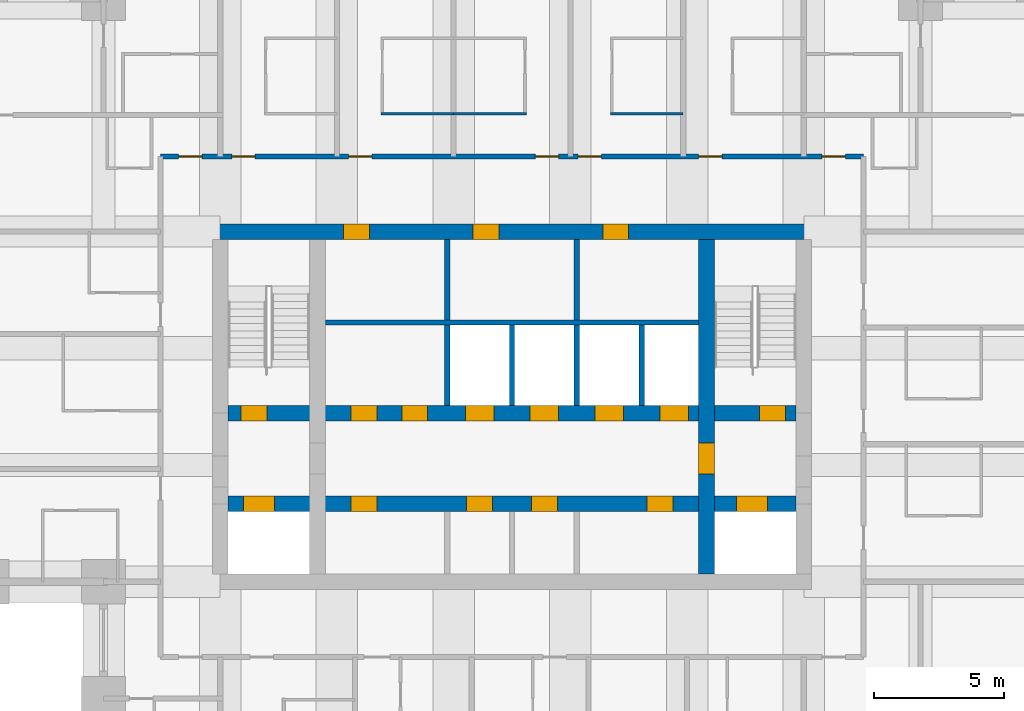
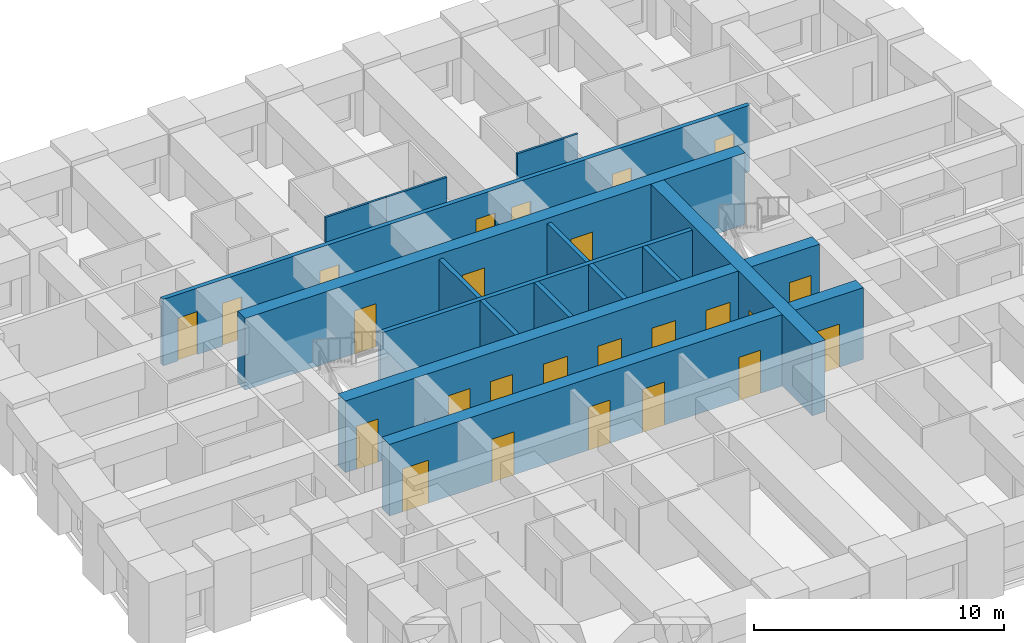
# One storey, part 4 of 8: 25 doors, 15 walls, 25 openings.
"""IFC4 building model written with IfcOpenShell, lengths in metres."""

from ifc_helpers import new_model, si_unit, direction, frame, frame_2d, origin, place, context, subcontext, project, spatial, rectangle, extrude, material, layer, layer_set, type_object, element, fill, save


model = new_model("IFC4")

# Units and contexts
model_context = context("Model", 3, precision=1e-05, world=origin(), true_north=direction((0.0, 1.0)))
body_context = subcontext(model_context, "Body", "Model", "MODEL_VIEW")
ifc_project = project(units=[si_unit("LENGTHUNIT", "METRE"), si_unit("AREAUNIT", "SQUARE_METRE"), si_unit("VOLUMEUNIT", "CUBIC_METRE"), si_unit("PLANEANGLEUNIT", "RADIAN"), si_unit("MASSUNIT", "GRAM", prefix="KILO")], contexts=[model_context])

# Site, building, storey
site_placement = place(None, origin())
site = spatial("IfcSite", under=ifc_project, at=site_placement, CompositionType="ELEMENT")
building_placement = place(site_placement, origin())
building = spatial("IfcBuilding", under=site, at=building_placement, Name="Kilele Tower Hotel", CompositionType="ELEMENT")
storey_placement = place(building_placement, frame((0.0, 0.0, 183.39990234375)))
storey = spatial("IfcBuildingStorey", under=building, at=storey_placement, Name="L47", CompositionType="ELEMENT", Elevation=183.39990234375)

# Walls
ifc_material_1 = material(Name="Moisture-resistant board")
ifc_layer_1 = layer(ifc_material_1, 0.10009765625)
ifc_layer_set_1 = layer_set([ifc_layer_1], Name="Moisture-resistant board")
wall_type_1 = type_object("IfcWallType", Name="Bathroom partition 100", PredefinedType="PLUMBINGWALL", material=ifc_layer_set_1)
for number, where, z_axis, x_axis, name in (
    (1, (19.699951171875, 31.550048828125, 0.0), (0.0, 0.0, 1.0), (1.0, 0.0, 0.0), "Bathroom partition 100 L47"),
    (2, (22.5, 31.550048828125, 0.0), (0.0, 0.0, 1.0), (1.0, 0.0, 0.0), "Bathroom partition 100 L47"),
    (3, (28.550048828125, 31.550048828125, 0.0), (0.0, 0.0, 1.0), (1.0, 0.0, 0.0), "Bathroom partition 100 L47"),
):
    element("IfcWall", number, at=place(storey_placement, frame(where, z_axis=z_axis, x_axis=x_axis)), inside=storey, type_object=wall_type_1, Name=name, PredefinedType="PLUMBINGWALL", context=body_context, shape_type="SweptSolid", body=[
        extrude(rectangle(XDim=2.800048828125, YDim=0.10009765625, at=frame_2d((1.39990234375, 0.0))), origin(), (0.0, 0.0, 1.0), 3.25),
    ])

# Wall, openings, doors
ifc_material_2 = material(Name="Concrete C70/85", Category="concrete")
ifc_layer_2 = layer(ifc_material_2, 0.60009765625)
ifc_layer_set_2 = layer_set([ifc_layer_2], Name="Concrete C70/85")
wall_type_2 = type_object("IfcWallType", Name="Core wall 600 C70/85", PredefinedType="SHEAR", material=ifc_layer_set_2)
wall_1_placement = place(storey_placement, frame((36.300048828125, 27.0, 0.0), z_axis=(0.0, 0.0, 1.0), x_axis=(-1.0, 0.0, 0.0)))
wall_1 = element("IfcWall", 4, at=wall_1_placement, inside=storey, type_object=wall_type_2, Name="Core wall N L47", PredefinedType="SHEAR", context=body_context, shape_type="SweptSolid", body=[
    extrude(rectangle(XDim=23.10009765625, YDim=0.60009765625, at=frame_2d((11.550048828125, 0.0))), origin(), (0.0, 0.0, 1.0), 3.5),
])
opening_1_placement = place(wall_1_placement, frame((17.050048828125, 0.0, 0.0)))
opening_1 = element("IfcOpeningElement", 5, at=opening_1_placement, cuts=wall_1, Name="Opening D6", PredefinedType="OPENING", context=body_context, shape_type="SweptSolid", body=[
    extrude(rectangle(XDim=1.0, YDim=2.10009765625, at=frame_2d((0.5, 1.050048828125))), frame((0.0, 0.31005859375, 0.0), z_axis=(0.0, -1.0, 0.0), x_axis=(1.0, 0.0, 0.0)), (0.0, 0.0, 1.0), 0.6201171875),
])
opening_2_placement = place(wall_1_placement, frame((12.050048828125, 0.0, 0.0)))
opening_2 = element("IfcOpeningElement", 6, at=opening_2_placement, cuts=wall_1, Name="Opening D6", PredefinedType="OPENING", context=body_context, shape_type="SweptSolid", body=[
    extrude(rectangle(XDim=1.0, YDim=2.10009765625, at=frame_2d((0.5, 1.050048828125))), frame((0.0, 0.31005859375, 0.0), z_axis=(0.0, -1.0, 0.0), x_axis=(1.0, 0.0, 0.0)), (0.0, 0.0, 1.0), 0.6201171875),
])
opening_3_placement = place(wall_1_placement, frame((7.050048828125, 0.0, 0.0)))
opening_3 = element("IfcOpeningElement", 7, at=opening_3_placement, cuts=wall_1, Name="Opening D6", PredefinedType="OPENING", context=body_context, shape_type="SweptSolid", body=[
    extrude(rectangle(XDim=1.0, YDim=2.10009765625, at=frame_2d((0.5, 1.050048828125))), frame((0.0, 0.31005859375, 0.0), z_axis=(0.0, -1.0, 0.0), x_axis=(1.0, 0.0, 0.0)), (0.0, 0.0, 1.0), 0.6201171875),
])
ifc_material_3 = material(Name="Timber door leaf in hardwood frame", Category="wood")
door_type_1 = type_object("IfcDoorType", Name="Riser door 1000", OperationType="SINGLE_SWING_LEFT", PredefinedType="DOOR", material=ifc_material_3)
door_1_placement = place(opening_1_placement, origin())
door_1 = element("IfcDoor", 8, at=door_1_placement, inside=storey, type_object=door_type_1, Name="Service riser door L47", OperationType="SINGLE_SWING_RIGHT", OverallHeight=2.10009765625, OverallWidth=1.0, PredefinedType="DOOR", context=body_context, shape_type="SweptSolid", body=[
    extrude(rectangle(XDim=1.0, YDim=2.10009765625, at=frame_2d((0.5, 1.050048828125))), frame((0.0, 0.2998046875, 0.0), z_axis=(0.0, -1.0, 0.0), x_axis=(1.0, 0.0, 0.0)), (0.0, 0.0, 1.0), 0.599609375),
])
fill(opening_1, door_1)
door_2_placement = place(opening_2_placement, origin())
door_2 = element("IfcDoor", 9, at=door_2_placement, inside=storey, type_object=door_type_1, Name="Linen store door L47", OperationType="SINGLE_SWING_RIGHT", OverallHeight=2.10009765625, OverallWidth=1.0, PredefinedType="DOOR", context=body_context, shape_type="SweptSolid", body=[
    extrude(rectangle(XDim=1.0, YDim=2.10009765625, at=frame_2d((0.5, 1.050048828125))), frame((0.0, 0.2998046875, 0.0), z_axis=(0.0, -1.0, 0.0), x_axis=(1.0, 0.0, 0.0)), (0.0, 0.0, 1.0), 0.599609375),
])
fill(opening_2, door_2)
door_3_placement = place(opening_3_placement, origin())
door_3 = element("IfcDoor", 10, at=door_3_placement, inside=storey, type_object=door_type_1, Name="Electrical riser door L47", OperationType="SINGLE_SWING_RIGHT", OverallHeight=2.10009765625, OverallWidth=1.0, PredefinedType="DOOR", context=body_context, shape_type="SweptSolid", body=[
    extrude(rectangle(XDim=1.0, YDim=2.10009765625, at=frame_2d((0.5, 1.050048828125))), frame((0.0, 0.2998046875, 0.0), z_axis=(0.0, -1.0, 0.0), x_axis=(1.0, 0.0, 0.0)), (0.0, 0.0, 1.0), 0.599609375),
])
fill(opening_3, door_3)

# Wall, opening, door
wall_2_placement = place(storey_placement, frame((32.25, 13.800048828125, 0.0), z_axis=(0.0, 0.0, 1.0), x_axis=(0.0, 1.0, 0.0)))
wall_2 = element("IfcWall", 11, at=wall_2_placement, inside=storey, type_object=wall_type_2, Name="Core wall IE L47", PredefinedType="SHEAR", context=body_context, shape_type="SweptSolid", body=[
    extrude(rectangle(XDim=12.89990234375, YDim=0.60009765625, at=frame_2d((6.449951171875, 0.0))), origin(), (0.0, 0.0, 1.0), 3.5),
])
opening_4_placement = place(wall_2_placement, frame((5.050048828125, 0.0, 0.0), z_axis=(0.0, 0.0, 1.0), x_axis=(-1.0, 0.0, 0.0)))
opening_4 = element("IfcOpeningElement", 12, at=opening_4_placement, cuts=wall_2, Name="Opening D4", PredefinedType="OPENING", context=body_context, shape_type="SweptSolid", body=[
    extrude(rectangle(XDim=1.199951171875, YDim=2.10009765625, at=frame_2d((0.60009765625, 1.050048828125))), frame((0.0, 0.31005859375, 0.0), z_axis=(0.0, -1.0, 0.0), x_axis=(1.0, 0.0, 0.0)), (0.0, 0.0, 1.0), 0.6201171875),
])
ifc_material_4 = material(Name="Timber door leaf in hardwood frame", Category="wood")
door_type_2 = type_object("IfcDoorType", Name="Firefighting lobby door 1200", OperationType="SINGLE_SWING_LEFT", PredefinedType="DOOR", material=ifc_material_4)
door_4_placement = place(opening_4_placement, origin())
door_4 = element("IfcDoor", 13, at=door_4_placement, inside=storey, type_object=door_type_2, Name="Lobby door L47", OperationType="SINGLE_SWING_RIGHT", OverallHeight=2.10009765625, OverallWidth=1.199951171875, PredefinedType="DOOR", context=body_context, shape_type="SweptSolid", body=[
    extrude(rectangle(XDim=1.199951171875, YDim=2.10009765625, at=frame_2d((0.60009765625, 1.050048828125))), frame((0.0, 0.2998046875, 0.0), z_axis=(0.0, -1.0, 0.0), x_axis=(1.0, 0.0, 0.0)), (0.0, 0.0, 1.0), 0.599609375),
])
fill(opening_4, door_4)

# Wall, openings, doors
wall_3_placement = place(storey_placement, frame((13.800048828125, 16.5, 0.0), z_axis=(0.0, 0.0, 1.0), x_axis=(1.0, 0.0, 0.0)))
wall_3 = element("IfcWall", 14, at=wall_3_placement, inside=storey, type_object=wall_type_2, Name="Core wall LS L47", PredefinedType="SHEAR", context=body_context, shape_type="SweptSolid", body=[
    extrude(rectangle(XDim=21.89990234375, YDim=0.60009765625, at=frame_2d((10.949951171875, 0.0))), origin(), (0.0, 0.0, 1.0), 3.5),
])
opening_5_placement = place(wall_3_placement, frame((5.75, 0.0, 0.0), z_axis=(0.0, 0.0, 1.0), x_axis=(-1.0, 0.0, 0.0)))
opening_5 = element("IfcOpeningElement", 15, at=opening_5_placement, cuts=wall_3, Name="Opening D11", PredefinedType="OPENING", context=body_context, shape_type="SweptSolid", body=[
    extrude(rectangle(XDim=1.0, YDim=2.10009765625, at=frame_2d((0.5, 1.050048828125))), frame((0.0, 0.31005859375, 0.0), z_axis=(0.0, -1.0, 0.0), x_axis=(1.0, 0.0, 0.0)), (0.0, 0.0, 1.0), 0.6201171875),
])
opening_6_placement = place(wall_3_placement, frame((10.199951171875, 0.0, 0.0), z_axis=(0.0, 0.0, 1.0), x_axis=(-1.0, 0.0, 0.0)))
opening_6 = element("IfcOpeningElement", 16, at=opening_6_placement, cuts=wall_3, Name="Opening D11", PredefinedType="OPENING", context=body_context, shape_type="SweptSolid", body=[
    extrude(rectangle(XDim=1.0, YDim=2.10009765625, at=frame_2d((0.5, 1.050048828125))), frame((0.0, 0.31005859375, 0.0), z_axis=(0.0, -1.0, 0.0), x_axis=(1.0, 0.0, 0.0)), (0.0, 0.0, 1.0), 0.6201171875),
])
opening_7_placement = place(wall_3_placement, frame((12.699951171875, 0.0, 0.0), z_axis=(0.0, 0.0, 1.0), x_axis=(-1.0, 0.0, 0.0)))
opening_7 = element("IfcOpeningElement", 17, at=opening_7_placement, cuts=wall_3, Name="Opening D11", PredefinedType="OPENING", context=body_context, shape_type="SweptSolid", body=[
    extrude(rectangle(XDim=1.0, YDim=2.10009765625, at=frame_2d((0.5, 1.050048828125))), frame((0.0, 0.31005859375, 0.0), z_axis=(0.0, -1.0, 0.0), x_axis=(1.0, 0.0, 0.0)), (0.0, 0.0, 1.0), 0.6201171875),
])
opening_8_placement = place(wall_3_placement, frame((17.14990234375, 0.0, 0.0), z_axis=(0.0, 0.0, 1.0), x_axis=(-1.0, 0.0, 0.0)))
opening_8 = element("IfcOpeningElement", 18, at=opening_8_placement, cuts=wall_3, Name="Opening D11", PredefinedType="OPENING", context=body_context, shape_type="SweptSolid", body=[
    extrude(rectangle(XDim=1.0, YDim=2.10009765625, at=frame_2d((0.5, 1.050048828125))), frame((0.0, 0.31005859375, 0.0), z_axis=(0.0, -1.0, 0.0), x_axis=(1.0, 0.0, 0.0)), (0.0, 0.0, 1.0), 0.6201171875),
])
opening_9_placement = place(wall_3_placement, frame((0.60009765625, 0.0, 0.0)))
opening_9 = element("IfcOpeningElement", 19, at=opening_9_placement, cuts=wall_3, Name="Opening LD2", PredefinedType="OPENING", context=body_context, shape_type="SweptSolid", body=[
    extrude(rectangle(XDim=1.199951171875, YDim=2.10009765625, at=frame_2d((0.60009765625, 1.050048828125))), frame((0.0, 0.31005859375, 0.0), z_axis=(0.0, -1.0, 0.0), x_axis=(1.0, 0.0, 0.0)), (0.0, 0.0, 1.0), 0.6201171875),
])
opening_10_placement = place(wall_3_placement, frame((19.60009765625, 0.0, 0.0)))
opening_10 = element("IfcOpeningElement", 20, at=opening_10_placement, cuts=wall_3, Name="Opening LD2", PredefinedType="OPENING", context=body_context, shape_type="SweptSolid", body=[
    extrude(rectangle(XDim=1.199951171875, YDim=2.10009765625, at=frame_2d((0.60009765625, 1.050048828125))), frame((0.0, 0.31005859375, 0.0), z_axis=(0.0, -1.0, 0.0), x_axis=(1.0, 0.0, 0.0)), (0.0, 0.0, 1.0), 0.6201171875),
])
ifc_material_5 = material(Name="Timber door leaf in hardwood frame", Category="wood")
door_type_3 = type_object("IfcDoorType", Name="Core store door 1000", OperationType="SINGLE_SWING_LEFT", PredefinedType="DOOR", material=ifc_material_5)
door_5_placement = place(opening_5_placement, origin())
door_5 = element("IfcDoor", 21, at=door_5_placement, inside=storey, type_object=door_type_3, Name="Core room door L1 L47", OperationType="SINGLE_SWING_RIGHT", OverallHeight=2.10009765625, OverallWidth=1.0, PredefinedType="DOOR", context=body_context, shape_type="SweptSolid", body=[
    extrude(rectangle(XDim=1.0, YDim=2.10009765625, at=frame_2d((0.5, 1.050048828125))), frame((0.0, 0.2998046875, 0.0), z_axis=(0.0, -1.0, 0.0), x_axis=(1.0, 0.0, 0.0)), (0.0, 0.0, 1.0), 0.599609375),
])
fill(opening_5, door_5)
door_6_placement = place(opening_6_placement, origin())
door_6 = element("IfcDoor", 22, at=door_6_placement, inside=storey, type_object=door_type_3, Name="Core room door L3 L47", OperationType="SINGLE_SWING_RIGHT", OverallHeight=2.10009765625, OverallWidth=1.0, PredefinedType="DOOR", context=body_context, shape_type="SweptSolid", body=[
    extrude(rectangle(XDim=1.0, YDim=2.10009765625, at=frame_2d((0.5, 1.050048828125))), frame((0.0, 0.2998046875, 0.0), z_axis=(0.0, -1.0, 0.0), x_axis=(1.0, 0.0, 0.0)), (0.0, 0.0, 1.0), 0.599609375),
])
fill(opening_6, door_6)
door_7_placement = place(opening_7_placement, origin())
door_7 = element("IfcDoor", 23, at=door_7_placement, inside=storey, type_object=door_type_3, Name="Core room door M1 L47", OperationType="SINGLE_SWING_LEFT", OverallHeight=2.10009765625, OverallWidth=1.0, PredefinedType="DOOR", context=body_context, shape_type="SweptSolid", body=[
    extrude(rectangle(XDim=1.0, YDim=2.10009765625, at=frame_2d((0.5, 1.050048828125))), frame((0.0, 0.2998046875, 0.0), z_axis=(0.0, -1.0, 0.0), x_axis=(1.0, 0.0, 0.0)), (0.0, 0.0, 1.0), 0.599609375),
])
fill(opening_7, door_7)
door_8_placement = place(opening_8_placement, origin())
door_8 = element("IfcDoor", 24, at=door_8_placement, inside=storey, type_object=door_type_3, Name="Core room door M3 L47", OperationType="SINGLE_SWING_LEFT", OverallHeight=2.10009765625, OverallWidth=1.0, PredefinedType="DOOR", context=body_context, shape_type="SweptSolid", body=[
    extrude(rectangle(XDim=1.0, YDim=2.10009765625, at=frame_2d((0.5, 1.050048828125))), frame((0.0, 0.2998046875, 0.0), z_axis=(0.0, -1.0, 0.0), x_axis=(1.0, 0.0, 0.0)), (0.0, 0.0, 1.0), 0.599609375),
])
fill(opening_8, door_8)
ifc_material_6 = material(Name="Steel lift landing door", Category="steel")
door_type_4 = type_object("IfcDoorType", Name="Firefighting lift landing door 1200", OperationType="SLIDING_TO_LEFT", PredefinedType="DOOR", material=ifc_material_6)
door_9_placement = place(opening_9_placement, origin())
door_9 = element("IfcDoor", 25, at=door_9_placement, inside=storey, type_object=door_type_4, Name="Landing door FFW L47", OperationType="SLIDING_TO_LEFT", OverallHeight=2.10009765625, OverallWidth=1.199951171875, PredefinedType="DOOR", context=body_context, shape_type="SweptSolid", body=[
    extrude(rectangle(XDim=1.199951171875, YDim=2.10009765625, at=frame_2d((0.60009765625, 1.050048828125))), frame((0.0, 0.2998046875, 0.0), z_axis=(0.0, -1.0, 0.0), x_axis=(1.0, 0.0, 0.0)), (0.0, 0.0, 1.0), 0.599609375),
])
fill(opening_9, door_9)
door_10_placement = place(opening_10_placement, origin())
door_10 = element("IfcDoor", 26, at=door_10_placement, inside=storey, type_object=door_type_4, Name="Landing door FFE L47", OperationType="SLIDING_TO_LEFT", OverallHeight=2.10009765625, OverallWidth=1.199951171875, PredefinedType="DOOR", context=body_context, shape_type="SweptSolid", body=[
    extrude(rectangle(XDim=1.199951171875, YDim=2.10009765625, at=frame_2d((0.60009765625, 1.050048828125))), frame((0.0, 0.2998046875, 0.0), z_axis=(0.0, -1.0, 0.0), x_axis=(1.0, 0.0, 0.0)), (0.0, 0.0, 1.0), 0.599609375),
])
fill(opening_10, door_10)

wall_4_placement = place(storey_placement, frame((13.800048828125, 20.0, 0.0), z_axis=(0.0, 0.0, 1.0), x_axis=(1.0, 0.0, 0.0)))
wall_4 = element("IfcWall", 27, at=wall_4_placement, inside=storey, type_object=wall_type_2, Name="Core wall LN L47", PredefinedType="SHEAR", context=body_context, shape_type="SweptSolid", body=[
    extrude(rectangle(XDim=21.89990234375, YDim=0.60009765625, at=frame_2d((10.949951171875, 0.0))), origin(), (0.0, 0.0, 1.0), 3.5),
])
opening_11_placement = place(wall_4_placement, frame((0.5, 0.0, 0.0)))
opening_11 = element("IfcOpeningElement", 28, at=opening_11_placement, cuts=wall_4, Name="Opening D5", PredefinedType="OPENING", context=body_context, shape_type="SweptSolid", body=[
    extrude(rectangle(XDim=1.0, YDim=2.10009765625, at=frame_2d((0.5, 1.050048828125))), frame((0.0, 0.31005859375, 0.0), z_axis=(0.0, -1.0, 0.0), x_axis=(1.0, 0.0, 0.0)), (0.0, 0.0, 1.0), 0.6201171875),
])
opening_12_placement = place(wall_4_placement, frame((20.5, 0.0, 0.0)))
opening_12 = element("IfcOpeningElement", 29, at=opening_12_placement, cuts=wall_4, Name="Opening D5", PredefinedType="OPENING", context=body_context, shape_type="SweptSolid", body=[
    extrude(rectangle(XDim=1.0, YDim=2.10009765625, at=frame_2d((0.5, 1.050048828125))), frame((0.0, 0.31005859375, 0.0), z_axis=(0.0, -1.0, 0.0), x_axis=(1.0, 0.0, 0.0)), (0.0, 0.0, 1.0), 0.6201171875),
])
opening_13_placement = place(wall_4_placement, frame((9.14990234375, 0.0, 0.0)))
opening_13 = element("IfcOpeningElement", 30, at=opening_13_placement, cuts=wall_4, Name="Opening LD1", PredefinedType="OPENING", context=body_context, shape_type="SweptSolid", body=[
    extrude(rectangle(XDim=1.10009765625, YDim=2.10009765625, at=frame_2d((0.550048828125, 1.050048828125))), frame((0.0, 0.31005859375, 0.0), z_axis=(0.0, -1.0, 0.0), x_axis=(1.0, 0.0, 0.0)), (0.0, 0.0, 1.0), 0.6201171875),
])
opening_14_placement = place(wall_4_placement, frame((11.64990234375, 0.0, 0.0)))
opening_14 = element("IfcOpeningElement", 31, at=opening_14_placement, cuts=wall_4, Name="Opening LD1", PredefinedType="OPENING", context=body_context, shape_type="SweptSolid", body=[
    extrude(rectangle(XDim=1.10009765625, YDim=2.10009765625, at=frame_2d((0.550048828125, 1.050048828125))), frame((0.0, 0.31005859375, 0.0), z_axis=(0.0, -1.0, 0.0), x_axis=(1.0, 0.0, 0.0)), (0.0, 0.0, 1.0), 0.6201171875),
])
opening_15_placement = place(wall_4_placement, frame((14.14990234375, 0.0, 0.0)))
opening_15 = element("IfcOpeningElement", 32, at=opening_15_placement, cuts=wall_4, Name="Opening LD1", PredefinedType="OPENING", context=body_context, shape_type="SweptSolid", body=[
    extrude(rectangle(XDim=1.10009765625, YDim=2.10009765625, at=frame_2d((0.550048828125, 1.050048828125))), frame((0.0, 0.31005859375, 0.0), z_axis=(0.0, -1.0, 0.0), x_axis=(1.0, 0.0, 0.0)), (0.0, 0.0, 1.0), 0.6201171875),
])
opening_16_placement = place(wall_4_placement, frame((16.64990234375, 0.0, 0.0)))
opening_16 = element("IfcOpeningElement", 33, at=opening_16_placement, cuts=wall_4, Name="Opening LD1", PredefinedType="OPENING", context=body_context, shape_type="SweptSolid", body=[
    extrude(rectangle(XDim=1.10009765625, YDim=2.10009765625, at=frame_2d((0.550048828125, 1.050048828125))), frame((0.0, 0.31005859375, 0.0), z_axis=(0.0, -1.0, 0.0), x_axis=(1.0, 0.0, 0.0)), (0.0, 0.0, 1.0), 0.6201171875),
])
opening_17_placement = place(wall_4_placement, frame((4.75, 0.0, 0.0)))
opening_17 = element("IfcOpeningElement", 34, at=opening_17_placement, cuts=wall_4, Name="Opening D11", PredefinedType="OPENING", context=body_context, shape_type="SweptSolid", body=[
    extrude(rectangle(XDim=1.0, YDim=2.10009765625, at=frame_2d((0.5, 1.050048828125))), frame((0.0, 0.31005859375, 0.0), z_axis=(0.0, -1.0, 0.0), x_axis=(1.0, 0.0, 0.0)), (0.0, 0.0, 1.0), 0.6201171875),
])
opening_18_placement = place(wall_4_placement, frame((6.699951171875, 0.0, 0.0)))
opening_18 = element("IfcOpeningElement", 35, at=opening_18_placement, cuts=wall_4, Name="Opening D11", PredefinedType="OPENING", context=body_context, shape_type="SweptSolid", body=[
    extrude(rectangle(XDim=1.0, YDim=2.10009765625, at=frame_2d((0.5, 1.050048828125))), frame((0.0, 0.31005859375, 0.0), z_axis=(0.0, -1.0, 0.0), x_axis=(1.0, 0.0, 0.0)), (0.0, 0.0, 1.0), 0.6201171875),
])
door_11_placement = place(opening_17_placement, origin())
door_11 = element("IfcDoor", 36, at=door_11_placement, inside=storey, type_object=door_type_3, Name="Core room door S1 L47", OperationType="SINGLE_SWING_LEFT", OverallHeight=2.10009765625, OverallWidth=1.0, PredefinedType="DOOR", context=body_context, shape_type="SweptSolid", body=[
    extrude(rectangle(XDim=1.0, YDim=2.10009765625, at=frame_2d((0.5, 1.050048828125))), frame((0.0, 0.2998046875, 0.0), z_axis=(0.0, -1.0, 0.0), x_axis=(1.0, 0.0, 0.0)), (0.0, 0.0, 1.0), 0.599609375),
])
fill(opening_17, door_11)
door_12_placement = place(opening_18_placement, origin())
door_12 = element("IfcDoor", 37, at=door_12_placement, inside=storey, type_object=door_type_3, Name="Core room door S2 L47", OperationType="SINGLE_SWING_RIGHT", OverallHeight=2.10009765625, OverallWidth=1.0, PredefinedType="DOOR", context=body_context, shape_type="SweptSolid", body=[
    extrude(rectangle(XDim=1.0, YDim=2.10009765625, at=frame_2d((0.5, 1.050048828125))), frame((0.0, 0.2998046875, 0.0), z_axis=(0.0, -1.0, 0.0), x_axis=(1.0, 0.0, 0.0)), (0.0, 0.0, 1.0), 0.599609375),
])
fill(opening_18, door_12)
ifc_material_7 = material(Name="Steel lift landing door", Category="steel")
door_type_5 = type_object("IfcDoorType", Name="Lift landing door 1100", OperationType="SLIDING_TO_LEFT", PredefinedType="DOOR", material=ifc_material_7)
door_13_placement = place(opening_13_placement, origin())
door_13 = element("IfcDoor", 38, at=door_13_placement, inside=storey, type_object=door_type_5, Name="Landing door H1 L47", OperationType="SLIDING_TO_LEFT", OverallHeight=2.10009765625, OverallWidth=1.10009765625, PredefinedType="DOOR", context=body_context, shape_type="SweptSolid", body=[
    extrude(rectangle(XDim=1.10009765625, YDim=2.10009765625, at=frame_2d((0.550048828125, 1.050048828125))), frame((0.0, 0.2998046875, 0.0), z_axis=(0.0, -1.0, 0.0), x_axis=(1.0, 0.0, 0.0)), (0.0, 0.0, 1.0), 0.599609375),
])
fill(opening_13, door_13)
door_14_placement = place(opening_14_placement, origin())
door_14 = element("IfcDoor", 39, at=door_14_placement, inside=storey, type_object=door_type_5, Name="Landing door H2 L47", OperationType="SLIDING_TO_LEFT", OverallHeight=2.10009765625, OverallWidth=1.10009765625, PredefinedType="DOOR", context=body_context, shape_type="SweptSolid", body=[
    extrude(rectangle(XDim=1.10009765625, YDim=2.10009765625, at=frame_2d((0.550048828125, 1.050048828125))), frame((0.0, 0.2998046875, 0.0), z_axis=(0.0, -1.0, 0.0), x_axis=(1.0, 0.0, 0.0)), (0.0, 0.0, 1.0), 0.599609375),
])
fill(opening_14, door_14)
door_15_placement = place(opening_15_placement, origin())
door_15 = element("IfcDoor", 40, at=door_15_placement, inside=storey, type_object=door_type_5, Name="Landing door H3 L47", OperationType="SLIDING_TO_LEFT", OverallHeight=2.10009765625, OverallWidth=1.10009765625, PredefinedType="DOOR", context=body_context, shape_type="SweptSolid", body=[
    extrude(rectangle(XDim=1.10009765625, YDim=2.10009765625, at=frame_2d((0.550048828125, 1.050048828125))), frame((0.0, 0.2998046875, 0.0), z_axis=(0.0, -1.0, 0.0), x_axis=(1.0, 0.0, 0.0)), (0.0, 0.0, 1.0), 0.599609375),
])
fill(opening_15, door_15)
door_16_placement = place(opening_16_placement, origin())
door_16 = element("IfcDoor", 41, at=door_16_placement, inside=storey, type_object=door_type_5, Name="Landing door G1 L47", OperationType="SLIDING_TO_LEFT", OverallHeight=2.10009765625, OverallWidth=1.10009765625, PredefinedType="DOOR", context=body_context, shape_type="SweptSolid", body=[
    extrude(rectangle(XDim=1.10009765625, YDim=2.10009765625, at=frame_2d((0.550048828125, 1.050048828125))), frame((0.0, 0.2998046875, 0.0), z_axis=(0.0, -1.0, 0.0), x_axis=(1.0, 0.0, 0.0)), (0.0, 0.0, 1.0), 0.599609375),
])
fill(opening_16, door_16)
ifc_material_8 = material(Name="Timber door leaf in hardwood frame", Category="wood")
door_type_6 = type_object("IfcDoorType", Name="Stair door 1000", OperationType="SINGLE_SWING_LEFT", PredefinedType="DOOR", material=ifc_material_8)
door_17_placement = place(opening_11_placement, origin())
door_17 = element("IfcDoor", 42, at=door_17_placement, inside=storey, type_object=door_type_6, Name="Stair 1 door L47", OperationType="SINGLE_SWING_LEFT", OverallHeight=2.10009765625, OverallWidth=1.0, PredefinedType="DOOR", context=body_context, shape_type="SweptSolid", body=[
    extrude(rectangle(XDim=1.0, YDim=2.10009765625, at=frame_2d((0.5, 1.050048828125))), frame((0.0, 0.2998046875, 0.0), z_axis=(0.0, -1.0, 0.0), x_axis=(1.0, 0.0, 0.0)), (0.0, 0.0, 1.0), 0.599609375),
])
fill(opening_11, door_17)
door_18_placement = place(opening_12_placement, origin())
door_18 = element("IfcDoor", 43, at=door_18_placement, inside=storey, type_object=door_type_6, Name="Stair 2 door L47", OperationType="SINGLE_SWING_RIGHT", OverallHeight=2.10009765625, OverallWidth=1.0, PredefinedType="DOOR", context=body_context, shape_type="SweptSolid", body=[
    extrude(rectangle(XDim=1.0, YDim=2.10009765625, at=frame_2d((0.5, 1.050048828125))), frame((0.0, 0.2998046875, 0.0), z_axis=(0.0, -1.0, 0.0), x_axis=(1.0, 0.0, 0.0)), (0.0, 0.0, 1.0), 0.599609375),
])
fill(opening_12, door_18)

ifc_material_9 = material(Name="Blockwork, plastered both sides", Category="masonry")
ifc_layer_3 = layer(ifc_material_9, 0.199951171875)
ifc_layer_set_3 = layer_set([ifc_layer_3], Name="Blockwork, plastered both sides")
wall_type_3 = type_object("IfcWallType", Name="Corridor wall 200", PredefinedType="PARTITIONING", material=ifc_layer_set_3)
wall_5_placement = place(storey_placement, frame((11.199951171875, 29.89990234375, 0.0), z_axis=(0.0, 0.0, 1.0), x_axis=(1.0, 0.0, 0.0)))
wall_5 = element("IfcWall", 44, at=wall_5_placement, inside=storey, type_object=wall_type_3, Name="Corridor wall 200 L47", PredefinedType="PARTITIONING", context=body_context, shape_type="SweptSolid", body=[
    extrude(rectangle(XDim=27.10009765625, YDim=0.199951171875, at=frame_2d((13.550048828125, 0.0))), origin(), (0.0, 0.0, 1.0), 3.25),
])
opening_19_placement = place(wall_5_placement, frame((2.75, 0.0, 0.0)))
opening_19 = element("IfcOpeningElement", 45, at=opening_19_placement, cuts=wall_5, Name="Opening D1", PredefinedType="OPENING", context=body_context, shape_type="SweptSolid", body=[
    extrude(rectangle(XDim=0.89990234375, YDim=2.10009765625, at=frame_2d((0.449951171875, 1.050048828125))), frame((0.0, 0.10986328125, 0.0), z_axis=(0.0, -1.0, 0.0), x_axis=(1.0, 0.0, 0.0)), (0.0, 0.0, 1.0), 0.219970703125),
])
opening_20_placement = place(wall_5_placement, frame((7.25, 0.0, 0.0)))
opening_20 = element("IfcOpeningElement", 46, at=opening_20_placement, cuts=wall_5, Name="Opening D1", PredefinedType="OPENING", context=body_context, shape_type="SweptSolid", body=[
    extrude(rectangle(XDim=0.89990234375, YDim=2.10009765625, at=frame_2d((0.449951171875, 1.050048828125))), frame((0.0, 0.10986328125, 0.0), z_axis=(0.0, -1.0, 0.0), x_axis=(1.0, 0.0, 0.0)), (0.0, 0.0, 1.0), 0.219970703125),
])
opening_21_placement = place(wall_5_placement, frame((14.449951171875, 0.0, 0.0)))
opening_21 = element("IfcOpeningElement", 47, at=opening_21_placement, cuts=wall_5, Name="Opening D1", PredefinedType="OPENING", context=body_context, shape_type="SweptSolid", body=[
    extrude(rectangle(XDim=0.89990234375, YDim=2.10009765625, at=frame_2d((0.449951171875, 1.050048828125))), frame((0.0, 0.10986328125, 0.0), z_axis=(0.0, -1.0, 0.0), x_axis=(1.0, 0.0, 0.0)), (0.0, 0.0, 1.0), 0.219970703125),
])
opening_22_placement = place(wall_5_placement, frame((16.10009765625, 0.0, 0.0)))
opening_22 = element("IfcOpeningElement", 48, at=opening_22_placement, cuts=wall_5, Name="Opening D1", PredefinedType="OPENING", context=body_context, shape_type="SweptSolid", body=[
    extrude(rectangle(XDim=0.89990234375, YDim=2.10009765625, at=frame_2d((0.449951171875, 1.050048828125))), frame((0.0, 0.10986328125, 0.0), z_axis=(0.0, -1.0, 0.0), x_axis=(1.0, 0.0, 0.0)), (0.0, 0.0, 1.0), 0.219970703125),
])
opening_23_placement = place(wall_5_placement, frame((20.75, 0.0, 0.0)))
opening_23 = element("IfcOpeningElement", 49, at=opening_23_placement, cuts=wall_5, Name="Opening D1", PredefinedType="OPENING", context=body_context, shape_type="SweptSolid", body=[
    extrude(rectangle(XDim=0.89990234375, YDim=2.10009765625, at=frame_2d((0.449951171875, 1.050048828125))), frame((0.0, 0.10986328125, 0.0), z_axis=(0.0, -1.0, 0.0), x_axis=(1.0, 0.0, 0.0)), (0.0, 0.0, 1.0), 0.219970703125),
])
opening_24_placement = place(wall_5_placement, frame((25.5, 0.0, 0.0)))
opening_24 = element("IfcOpeningElement", 50, at=opening_24_placement, cuts=wall_5, Name="Opening D1", PredefinedType="OPENING", context=body_context, shape_type="SweptSolid", body=[
    extrude(rectangle(XDim=0.89990234375, YDim=2.10009765625, at=frame_2d((0.449951171875, 1.050048828125))), frame((0.0, 0.10986328125, 0.0), z_axis=(0.0, -1.0, 0.0), x_axis=(1.0, 0.0, 0.0)), (0.0, 0.0, 1.0), 0.219970703125),
])
opening_25_placement = place(wall_5_placement, frame((0.699951171875, 0.0, 0.0)))
opening_25 = element("IfcOpeningElement", 51, at=opening_25_placement, cuts=wall_5, Name="Opening D1", PredefinedType="OPENING", context=body_context, shape_type="SweptSolid", body=[
    extrude(rectangle(XDim=0.89990234375, YDim=2.10009765625, at=frame_2d((0.449951171875, 1.050048828125))), frame((0.0, 0.10986328125, 0.0), z_axis=(0.0, -1.0, 0.0), x_axis=(1.0, 0.0, 0.0)), (0.0, 0.0, 1.0), 0.219970703125),
])
ifc_material_10 = material(Name="Timber door leaf in hardwood frame", Category="wood")
door_type_7 = type_object("IfcDoorType", Name="Guest room entrance door 900", OperationType="SINGLE_SWING_LEFT", PredefinedType="DOOR", material=ifc_material_10)
door_19_placement = place(opening_19_placement, origin())
door_19 = element("IfcDoor", 52, at=door_19_placement, inside=storey, type_object=door_type_7, Name="Room entrance 4709", OperationType="SINGLE_SWING_LEFT", OverallHeight=2.10009765625, OverallWidth=0.89990234375, PredefinedType="DOOR", context=body_context, shape_type="SweptSolid", body=[
    extrude(rectangle(XDim=0.89990234375, YDim=2.10009765625, at=frame_2d((0.449951171875, 1.050048828125))), frame((0.0, 0.02490234375, 0.0), z_axis=(0.0, -1.0, 0.0), x_axis=(1.0, 0.0, 0.0)), (0.0, 0.0, 1.0), 0.050048828125),
])
fill(opening_19, door_19)
door_20_placement = place(opening_20_placement, origin())
door_20 = element("IfcDoor", 53, at=door_20_placement, inside=storey, type_object=door_type_7, Name="Room entrance 4710", OperationType="SINGLE_SWING_LEFT", OverallHeight=2.10009765625, OverallWidth=0.89990234375, PredefinedType="DOOR", context=body_context, shape_type="SweptSolid", body=[
    extrude(rectangle(XDim=0.89990234375, YDim=2.10009765625, at=frame_2d((0.449951171875, 1.050048828125))), frame((0.0, 0.02490234375, 0.0), z_axis=(0.0, -1.0, 0.0), x_axis=(1.0, 0.0, 0.0)), (0.0, 0.0, 1.0), 0.050048828125),
])
fill(opening_20, door_20)
door_21_placement = place(opening_21_placement, origin())
door_21 = element("IfcDoor", 54, at=door_21_placement, inside=storey, type_object=door_type_7, Name="Room entrance 4711", OperationType="SINGLE_SWING_RIGHT", OverallHeight=2.10009765625, OverallWidth=0.89990234375, PredefinedType="DOOR", context=body_context, shape_type="SweptSolid", body=[
    extrude(rectangle(XDim=0.89990234375, YDim=2.10009765625, at=frame_2d((0.449951171875, 1.050048828125))), frame((0.0, 0.02490234375, 0.0), z_axis=(0.0, -1.0, 0.0), x_axis=(1.0, 0.0, 0.0)), (0.0, 0.0, 1.0), 0.050048828125),
])
fill(opening_21, door_21)
door_22_placement = place(opening_22_placement, origin())
door_22 = element("IfcDoor", 55, at=door_22_placement, inside=storey, type_object=door_type_7, Name="Room entrance 4712", OperationType="SINGLE_SWING_LEFT", OverallHeight=2.10009765625, OverallWidth=0.89990234375, PredefinedType="DOOR", context=body_context, shape_type="SweptSolid", body=[
    extrude(rectangle(XDim=0.89990234375, YDim=2.10009765625, at=frame_2d((0.449951171875, 1.050048828125))), frame((0.0, 0.02490234375, 0.0), z_axis=(0.0, -1.0, 0.0), x_axis=(1.0, 0.0, 0.0)), (0.0, 0.0, 1.0), 0.050048828125),
])
fill(opening_22, door_22)
door_23_placement = place(opening_23_placement, origin())
door_23 = element("IfcDoor", 56, at=door_23_placement, inside=storey, type_object=door_type_7, Name="Room entrance 4713", OperationType="SINGLE_SWING_LEFT", OverallHeight=2.10009765625, OverallWidth=0.89990234375, PredefinedType="DOOR", context=body_context, shape_type="SweptSolid", body=[
    extrude(rectangle(XDim=0.89990234375, YDim=2.10009765625, at=frame_2d((0.449951171875, 1.050048828125))), frame((0.0, 0.02490234375, 0.0), z_axis=(0.0, -1.0, 0.0), x_axis=(1.0, 0.0, 0.0)), (0.0, 0.0, 1.0), 0.050048828125),
])
fill(opening_23, door_23)
door_24_placement = place(opening_24_placement, origin())
door_24 = element("IfcDoor", 57, at=door_24_placement, inside=storey, type_object=door_type_7, Name="Room entrance 4722", OperationType="SINGLE_SWING_LEFT", OverallHeight=2.10009765625, OverallWidth=0.89990234375, PredefinedType="DOOR", context=body_context, shape_type="SweptSolid", body=[
    extrude(rectangle(XDim=0.89990234375, YDim=2.10009765625, at=frame_2d((0.449951171875, 1.050048828125))), frame((0.0, 0.02490234375, 0.0), z_axis=(0.0, -1.0, 0.0), x_axis=(1.0, 0.0, 0.0)), (0.0, 0.0, 1.0), 0.050048828125),
])
fill(opening_24, door_24)
door_25_placement = place(opening_25_placement, origin())
door_25 = element("IfcDoor", 58, at=door_25_placement, inside=storey, type_object=door_type_7, Name="Room entrance 4725", OperationType="SINGLE_SWING_RIGHT", OverallHeight=2.10009765625, OverallWidth=0.89990234375, PredefinedType="DOOR", context=body_context, shape_type="SweptSolid", body=[
    extrude(rectangle(XDim=0.89990234375, YDim=2.10009765625, at=frame_2d((0.449951171875, 1.050048828125))), frame((0.0, 0.02490234375, 0.0), z_axis=(0.0, -1.0, 0.0), x_axis=(1.0, 0.0, 0.0)), (0.0, 0.0, 1.0), 0.050048828125),
])
fill(opening_25, door_25)

# Walls
ifc_material_11 = material(Name="Blockwork, fire-rated", Category="masonry")
ifc_layer_4 = layer(ifc_material_11, 0.199951171875)
ifc_layer_set_4 = layer_set([ifc_layer_4], Name="Blockwork, fire-rated")
wall_type_4 = type_object("IfcWallType", Name="Shaft wall 200", PredefinedType="PARTITIONING", material=ifc_layer_set_4)
for number, where, z_axis, x_axis, name in (
    (59, (22.25, 20.300048828125, 0.0), (0.0, 0.0, 1.0), (0.0, 1.0, 0.0), "Shaft wall 200 L47"),
    (60, (24.75, 20.300048828125, 0.0), (0.0, 0.0, 1.0), (0.0, 1.0, 0.0), "Shaft wall 200 L47"),
    (61, (27.25, 20.300048828125, 0.0), (0.0, 0.0, 1.0), (0.0, 1.0, 0.0), "Shaft wall 200 L47"),
    (62, (29.75, 20.300048828125, 0.0), (0.0, 0.0, 1.0), (0.0, 1.0, 0.0), "Shaft wall 200 L47"),
):
    element("IfcWall", number, at=place(storey_placement, frame(where, z_axis=z_axis, x_axis=x_axis)), inside=storey, type_object=wall_type_4, Name=name, PredefinedType="PARTITIONING", context=body_context, shape_type="SweptSolid", body=[
        extrude(rectangle(XDim=3.099853515625, YDim=0.199951171875, at=frame_2d((1.5498046875, 0.0))), origin(), (0.0, 0.0, 1.0), 3.25),
    ])
wall_6_placement = place(storey_placement, frame((17.550048828125, 23.5, 0.0), z_axis=(0.0, 0.0, 1.0), x_axis=(1.0, 0.0, 0.0)))
element("IfcWall", 63, at=wall_6_placement, inside=storey, type_object=wall_type_4, Name="Shaft wall 200 L47", PredefinedType="PARTITIONING", context=body_context, shape_type="SweptSolid", body=[
    extrude(rectangle(XDim=14.39990234375, YDim=0.199951171875, at=frame_2d((7.199951171875, 0.0))), origin(), (0.0, 0.0, 1.0), 3.25),
])
for number, where, z_axis, x_axis, name in (
    (64, (22.25, 23.60009765625, 0.0), (0.0, 0.0, 1.0), (0.0, 1.0, 0.0), "Shaft wall 200 L47"),
    (65, (27.25, 23.60009765625, 0.0), (0.0, 0.0, 1.0), (0.0, 1.0, 0.0), "Shaft wall 200 L47"),
):
    element("IfcWall", number, at=place(storey_placement, frame(where, z_axis=z_axis, x_axis=x_axis)), inside=storey, type_object=wall_type_4, Name=name, PredefinedType="PARTITIONING", context=body_context, shape_type="SweptSolid", body=[
        extrude(rectangle(XDim=3.099853515625, YDim=0.199951171875, at=frame_2d((1.5498046875, 0.0))), origin(), (0.0, 0.0, 1.0), 3.25),
    ])

save(model, "model.ifc")
